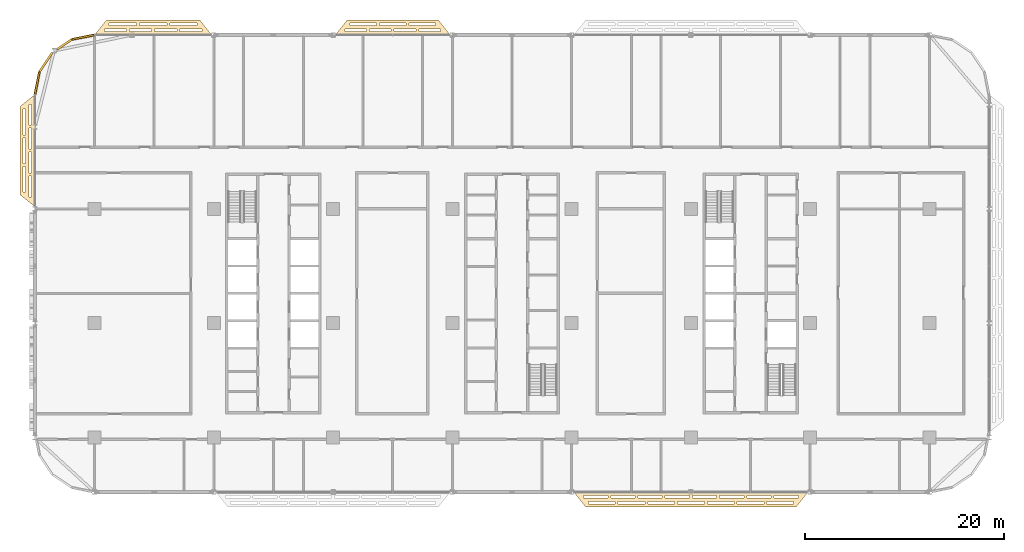
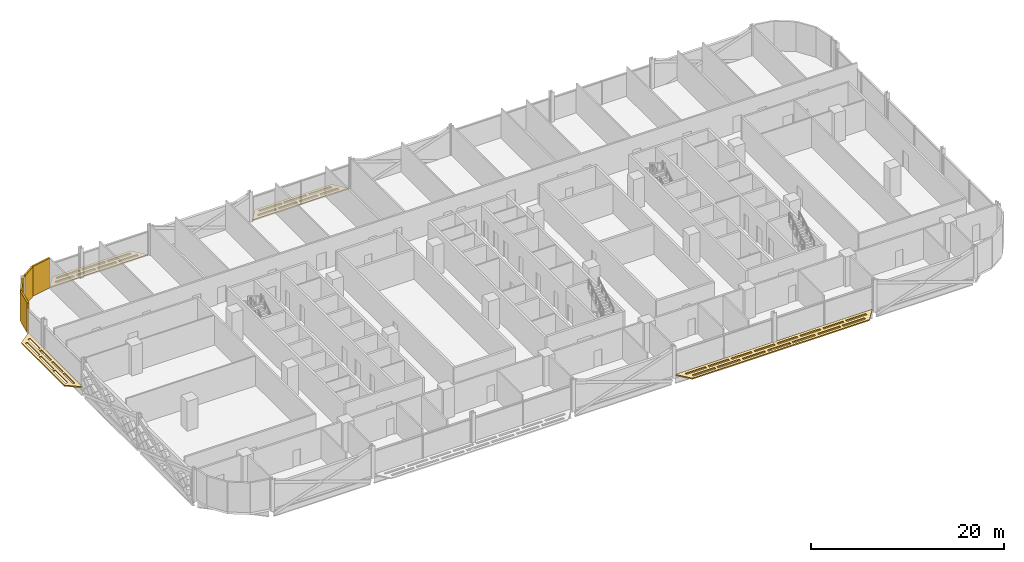
# One storey, part 27 of 29: 8 coverings.
"""IFC4 building model written with IfcOpenShell, lengths in metres."""

from ifc_helpers import new_model, si_unit, direction, frame, origin, origin_2d, place, context, subcontext, project, spatial, polyline, rectangle, outline, extrude, material, layer, layer_set, type_object, element, save


model = new_model("IFC4")

# Units and contexts
model_context = context("Model", 3, precision=1e-05, world=origin(), true_north=direction((0.0, 1.0)))
body_context = subcontext(model_context, "Body", "Model", "MODEL_VIEW")
ifc_project = project(units=[si_unit("LENGTHUNIT", "METRE"), si_unit("AREAUNIT", "SQUARE_METRE"), si_unit("VOLUMEUNIT", "CUBIC_METRE"), si_unit("PLANEANGLEUNIT", "RADIAN"), si_unit("MASSUNIT", "GRAM", prefix="KILO")], contexts=[model_context])

# Site, building, storey
site_placement = place(None, origin())
site = spatial("IfcSite", under=ifc_project, at=site_placement, CompositionType="ELEMENT")
building_placement = place(site_placement, origin())
building = spatial("IfcBuilding", under=site, at=building_placement, Name="Mahtab Terrace Research Tower", CompositionType="ELEMENT")
storey_placement = place(building_placement, frame((0.0, 0.0, 142.5)))
storey = spatial("IfcBuildingStorey", under=building, at=storey_placement, Name="L33", CompositionType="ELEMENT", Elevation=142.5)

# Coverings
ifc_material_1 = material(Name="Black aluminium cladding panel", Category="aluminium")
ifc_layer_1 = layer(ifc_material_1, 0.199951171875)
ifc_layer_set_1 = layer_set([ifc_layer_1], Name="Black metal corner cladding 200")
covering_type_1 = type_object("IfcCoveringType", Name="Black metal corner cladding 200", PredefinedType="CLADDING", material=ifc_layer_set_1)
covering_1_placement = place(storey_placement, frame((-43.14794921875, 28.771484375, 0.0), z_axis=(0.0, 0.0, 1.0), x_axis=(-0.980760981187, -0.195212442692, 0.0)))
element("IfcCovering", 1, at=covering_1_placement, inside=storey, type_object=covering_type_1, Name="Corner cladding L33 11", PredefinedType="CLADDING", context=body_context, shape_type="SweptSolid", body=[
    extrude(rectangle(XDim=2.30126953125, YDim=0.199951171875, at=origin_2d()), origin(), (0.0, 0.0, 1.0), 3.760009765625),
])
covering_2_placement = place(storey_placement, frame((-45.049560546875, 28.039794921875, 0.0), z_axis=(0.0, 0.0, 1.0), x_axis=(-0.831655794326, -0.555291490808, 0.0)))
element("IfcCovering", 2, at=covering_2_placement, inside=storey, type_object=covering_type_1, Name="Corner cladding L33 12", PredefinedType="CLADDING", context=body_context, shape_type="SweptSolid", body=[
    extrude(rectangle(XDim=1.772216796875, YDim=0.199951171875, at=origin_2d()), origin(), (0.0, 0.0, 1.0), 3.760009765625),
])
for number, where, z_axis, x_axis, name in (
    (3, (-46.89306640625, 26.26953125, 0.0), (0.0, 0.0, 1.0), (-0.555291490808, -0.831655794326, 0.0), "Corner cladding L33 13"),
    (4, (-47.771484375, 24.14794921875, 0.0), (0.0, 0.0, 1.0), (-0.195212442692, -0.980760981187, 0.0), "Corner cladding L33 14"),
):
    element("IfcCovering", number, at=place(storey_placement, frame(where, z_axis=z_axis, x_axis=x_axis)), inside=storey, type_object=covering_type_1, Name=name, PredefinedType="CLADDING", context=body_context, shape_type="SweptSolid", body=[
        extrude(rectangle(XDim=2.30126953125, YDim=0.199951171875, at=origin_2d()), origin(), (0.0, 0.0, 1.0), 3.760009765625),
    ])
ifc_material_2 = material(Name="Black anodised aluminium", Category="aluminium")
ifc_layer_2 = layer(ifc_material_2, 0.14990234375)
ifc_layer_set_2 = layer_set([ifc_layer_2], Name="Horizontal sunshade band")
covering_type_2 = type_object("IfcCoveringType", Name="Horizontal sunshade band", PredefinedType="CLADDING", material=ifc_layer_set_2)
covering_3_placement = place(storey_placement, frame((0.0, 0.0, -0.14990234375)))
element("IfcCovering", 5, at=covering_3_placement, inside=storey, type_object=covering_type_2, Name="Sunshade band L33 7", PredefinedType="CLADDING", context=body_context, shape_type="SweptSolid", body=[
    extrude(outline(polyline([(-6.218017578125, 29.0), (-17.781982421875, 29.0), (-16.58203125, 30.5), (-7.41796875, 30.5), (-6.218017578125, 29.0)]), holes=[polyline([(-7.197998046875, 29.35009765625), (-9.3740234375, 29.35009765625), (-9.3740234375, 29.60009765625), (-7.197998046875, 29.60009765625), (-7.197998046875, 29.35009765625)]), polyline([(-9.674072265625, 29.35009765625), (-11.85009765625, 29.35009765625), (-11.85009765625, 29.60009765625), (-9.674072265625, 29.60009765625), (-9.674072265625, 29.35009765625)]), polyline([(-12.14990234375, 29.35009765625), (-14.325927734375, 29.35009765625), (-14.325927734375, 29.60009765625), (-12.14990234375, 29.60009765625), (-12.14990234375, 29.35009765625)]), polyline([(-14.6259765625, 29.35009765625), (-16.802001953125, 29.35009765625), (-16.802001953125, 29.60009765625), (-14.6259765625, 29.60009765625), (-14.6259765625, 29.35009765625)]), polyline([(-7.677978515625, 29.949951171875), (-10.35888671875, 29.949951171875), (-10.35888671875, 30.199951171875), (-7.677978515625, 30.199951171875), (-7.677978515625, 29.949951171875)]), polyline([(-10.658935546875, 29.949951171875), (-13.341064453125, 29.949951171875), (-13.341064453125, 30.199951171875), (-10.658935546875, 30.199951171875), (-10.658935546875, 29.949951171875)]), polyline([(-13.64111328125, 29.949951171875), (-16.322021484375, 29.949951171875), (-16.322021484375, 30.199951171875), (-13.64111328125, 30.199951171875), (-13.64111328125, 29.949951171875)])]), origin(), (0.0, 0.0, 1.0), 0.14990234375),
])
covering_4_placement = place(storey_placement, frame((0.0, 0.0, -0.14990234375)))
element("IfcCovering", 6, at=covering_4_placement, inside=storey, type_object=covering_type_2, Name="Sunshade band L33 9", PredefinedType="CLADDING", context=body_context, shape_type="SweptSolid", body=[
    extrude(outline(polyline([(-30.218017578125, 29.0), (-42.0, 29.0), (-40.800048828125, 30.5), (-31.41796875, 30.5), (-30.218017578125, 29.0)]), holes=[polyline([(-31.197998046875, 29.35009765625), (-33.427978515625, 29.35009765625), (-33.427978515625, 29.60009765625), (-31.197998046875, 29.60009765625), (-31.197998046875, 29.35009765625)]), polyline([(-33.72900390625, 29.35009765625), (-35.958984375, 29.35009765625), (-35.958984375, 29.60009765625), (-33.72900390625, 29.60009765625), (-33.72900390625, 29.35009765625)]), polyline([(-36.259033203125, 29.35009765625), (-38.489013671875, 29.35009765625), (-38.489013671875, 29.60009765625), (-36.259033203125, 29.60009765625), (-36.259033203125, 29.35009765625)]), polyline([(-38.7900390625, 29.35009765625), (-41.02001953125, 29.35009765625), (-41.02001953125, 29.60009765625), (-38.7900390625, 29.60009765625), (-38.7900390625, 29.35009765625)]), polyline([(-31.677978515625, 29.949951171875), (-34.431884765625, 29.949951171875), (-34.431884765625, 30.199951171875), (-31.677978515625, 30.199951171875), (-31.677978515625, 29.949951171875)]), polyline([(-34.73193359375, 29.949951171875), (-37.486083984375, 29.949951171875), (-37.486083984375, 30.199951171875), (-34.73193359375, 30.199951171875), (-34.73193359375, 29.949951171875)]), polyline([(-37.785888671875, 29.949951171875), (-40.5400390625, 29.949951171875), (-40.5400390625, 30.199951171875), (-37.785888671875, 30.199951171875), (-37.785888671875, 29.949951171875)])]), origin(), (0.0, 0.0, 1.0), 0.14990234375),
])
covering_5_placement = place(storey_placement, frame((0.0, 0.0, -0.14990234375)))
element("IfcCovering", 7, at=covering_5_placement, inside=storey, type_object=covering_type_2, Name="Sunshade band L33 15", PredefinedType="CLADDING", context=body_context, shape_type="SweptSolid", body=[
    extrude(outline(polyline([(-48.0, 23.0), (-48.0, 11.718017578125), (-49.5, 12.91796875), (-49.5, 21.800048828125), (-48.0, 23.0)]), holes=[polyline([(-48.35009765625, 22.02001953125), (-48.35009765625, 19.9150390625), (-48.60009765625, 19.9150390625), (-48.60009765625, 22.02001953125), (-48.35009765625, 22.02001953125)]), polyline([(-48.35009765625, 19.614013671875), (-48.35009765625, 17.509033203125), (-48.60009765625, 17.509033203125), (-48.60009765625, 19.614013671875), (-48.35009765625, 19.614013671875)]), polyline([(-48.35009765625, 17.208984375), (-48.35009765625, 15.10400390625), (-48.60009765625, 15.10400390625), (-48.60009765625, 17.208984375), (-48.35009765625, 17.208984375)]), polyline([(-48.35009765625, 14.803955078125), (-48.35009765625, 12.697998046875), (-48.60009765625, 12.697998046875), (-48.60009765625, 14.803955078125), (-48.35009765625, 14.803955078125)]), polyline([(-48.949951171875, 21.5400390625), (-48.949951171875, 18.952880859375), (-49.199951171875, 18.952880859375), (-49.199951171875, 21.5400390625), (-48.949951171875, 21.5400390625)]), polyline([(-48.949951171875, 18.653076171875), (-48.949951171875, 16.06494140625), (-49.199951171875, 16.06494140625), (-49.199951171875, 18.653076171875), (-48.949951171875, 18.653076171875)]), polyline([(-48.949951171875, 15.764892578125), (-48.949951171875, 13.177978515625), (-49.199951171875, 13.177978515625), (-49.199951171875, 15.764892578125), (-48.949951171875, 15.764892578125)])]), origin(), (0.0, 0.0, 1.0), 0.14990234375),
])
covering_6_placement = place(storey_placement, frame((0.0, 0.0, -0.14990234375)))
element("IfcCovering", 8, at=covering_6_placement, inside=storey, type_object=covering_type_2, Name="Sunshade band L33 28", PredefinedType="CLADDING", context=body_context, shape_type="SweptSolid", body=[
    extrude(outline(polyline([(6.218017578125, -17.0), (29.781982421875, -17.0), (28.58203125, -18.5), (7.41796875, -18.5), (6.218017578125, -17.0)]), holes=[polyline([(7.197998046875, -17.35009765625), (9.635986328125, -17.35009765625), (9.635986328125, -17.60009765625), (7.197998046875, -17.60009765625), (7.197998046875, -17.35009765625)]), polyline([(9.93603515625, -17.35009765625), (12.3740234375, -17.35009765625), (12.3740234375, -17.60009765625), (9.93603515625, -17.60009765625), (9.93603515625, -17.35009765625)]), polyline([(12.674072265625, -17.35009765625), (15.112060546875, -17.35009765625), (15.112060546875, -17.60009765625), (12.674072265625, -17.60009765625), (12.674072265625, -17.35009765625)]), polyline([(15.412109375, -17.35009765625), (17.85009765625, -17.35009765625), (17.85009765625, -17.60009765625), (15.412109375, -17.60009765625), (15.412109375, -17.35009765625)]), polyline([(18.14990234375, -17.35009765625), (20.587890625, -17.35009765625), (20.587890625, -17.60009765625), (18.14990234375, -17.60009765625), (18.14990234375, -17.35009765625)]), polyline([(20.887939453125, -17.35009765625), (23.325927734375, -17.35009765625), (23.325927734375, -17.60009765625), (20.887939453125, -17.60009765625), (20.887939453125, -17.35009765625)]), polyline([(23.6259765625, -17.35009765625), (26.06396484375, -17.35009765625), (26.06396484375, -17.60009765625), (23.6259765625, -17.60009765625), (23.6259765625, -17.35009765625)]), polyline([(26.364013671875, -17.35009765625), (28.802001953125, -17.35009765625), (28.802001953125, -17.60009765625), (26.364013671875, -17.60009765625), (26.364013671875, -17.35009765625)]), polyline([(7.677978515625, -17.949951171875), (10.3701171875, -17.949951171875), (10.3701171875, -18.199951171875), (7.677978515625, -18.199951171875), (7.677978515625, -17.949951171875)]), polyline([(10.669921875, -17.949951171875), (13.362060546875, -17.949951171875), (13.362060546875, -18.199951171875), (10.669921875, -18.199951171875), (10.669921875, -17.949951171875)]), polyline([(13.662109375, -17.949951171875), (16.35400390625, -17.949951171875), (16.35400390625, -18.199951171875), (13.662109375, -18.199951171875), (13.662109375, -17.949951171875)]), polyline([(16.654052734375, -17.949951171875), (19.345947265625, -17.949951171875), (19.345947265625, -18.199951171875), (16.654052734375, -18.199951171875), (16.654052734375, -17.949951171875)]), polyline([(19.64599609375, -17.949951171875), (22.337890625, -17.949951171875), (22.337890625, -18.199951171875), (19.64599609375, -18.199951171875), (19.64599609375, -17.949951171875)]), polyline([(22.637939453125, -17.949951171875), (25.330078125, -17.949951171875), (25.330078125, -18.199951171875), (22.637939453125, -18.199951171875), (22.637939453125, -17.949951171875)]), polyline([(25.6298828125, -17.949951171875), (28.322021484375, -17.949951171875), (28.322021484375, -18.199951171875), (25.6298828125, -18.199951171875), (25.6298828125, -17.949951171875)])]), origin(), (0.0, 0.0, 1.0), 0.14990234375),
])

save(model, "model.ifc")
